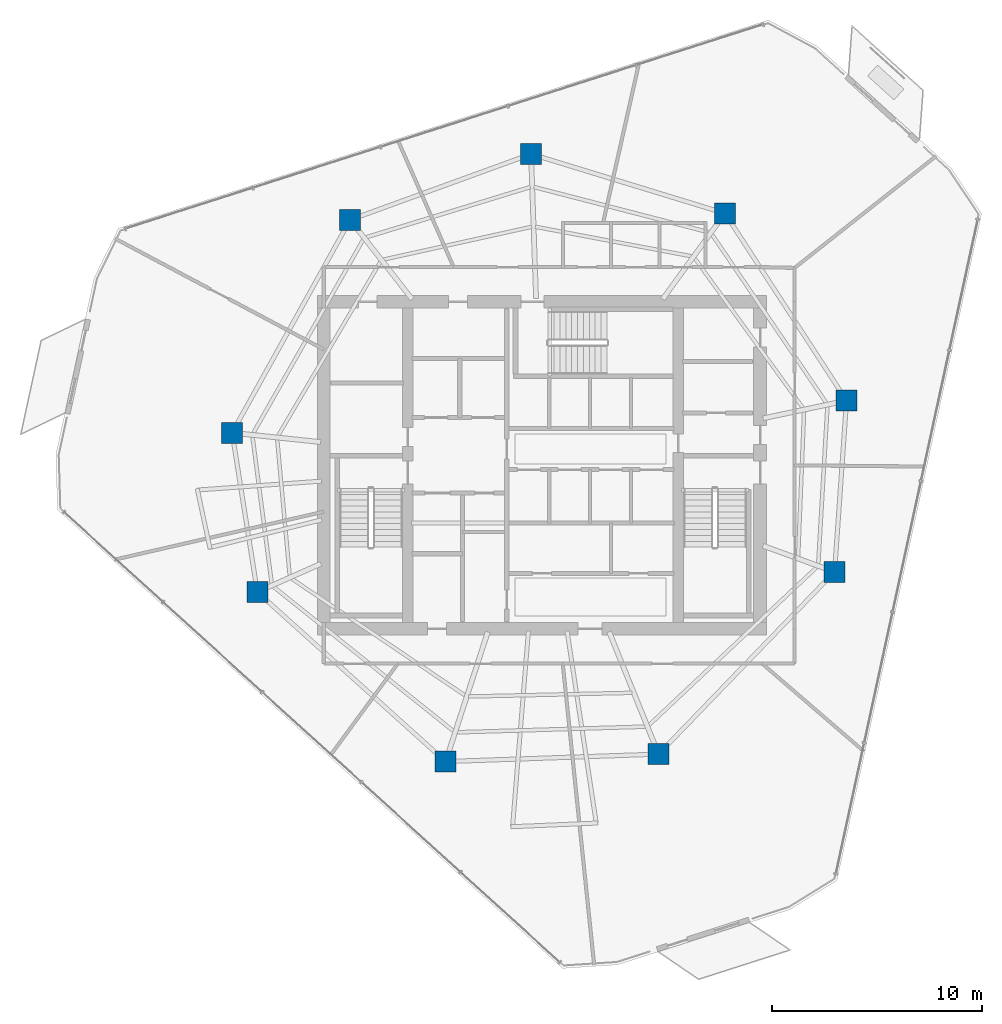
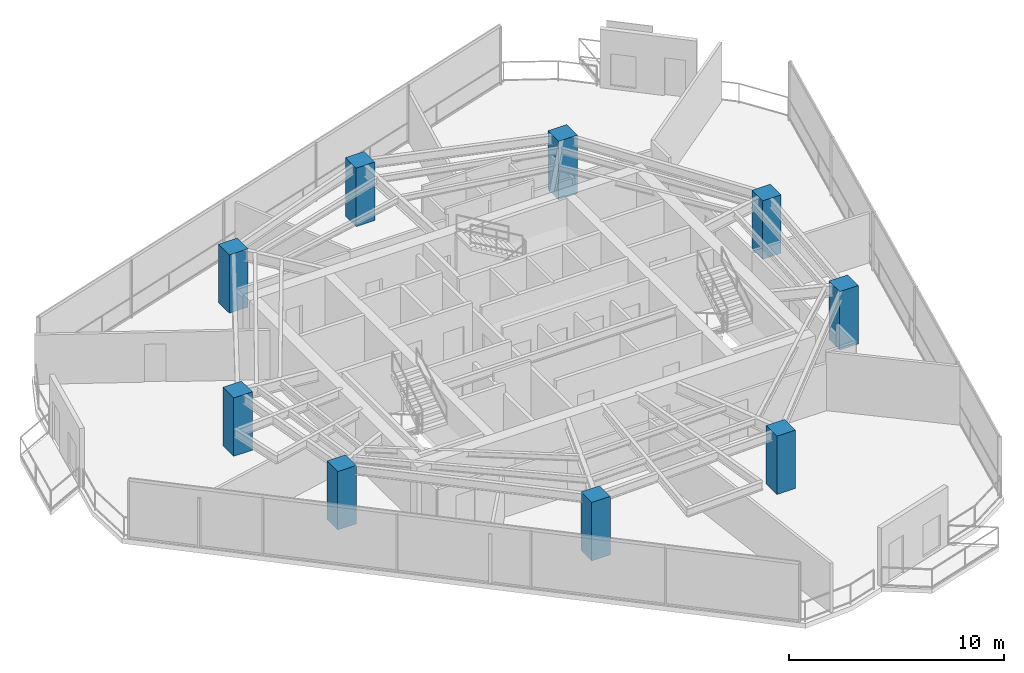
# One storey, part 1 of 21: 9 columns.
"""IFC4 building model written with IfcOpenShell, lengths in metres."""

from ifc_helpers import new_model, si_unit, direction, frame, origin, origin_2d, place, context, subcontext, project, spatial, rectangle, extrude, material, material_profile, profile_set, type_object, element, save


model = new_model("IFC4")

# Units and contexts
model_context = context("Model", 3, precision=1e-05, world=origin(), true_north=direction((0.0, 1.0)))
body_context = subcontext(model_context, "Body", "Model", "MODEL_VIEW")
ifc_project = project(units=[si_unit("LENGTHUNIT", "METRE"), si_unit("AREAUNIT", "SQUARE_METRE"), si_unit("VOLUMEUNIT", "CUBIC_METRE"), si_unit("PLANEANGLEUNIT", "RADIAN"), si_unit("MASSUNIT", "GRAM", prefix="KILO")], contexts=[model_context])

# Site, building, storey
site_placement = place(None, origin())
site = spatial("IfcSite", under=ifc_project, at=site_placement, CompositionType="ELEMENT")
building_placement = place(site_placement, origin())
building = spatial("IfcBuilding", under=site, at=building_placement, Name="Qarnah Convention Tower", CompositionType="ELEMENT")
storey_placement = place(building_placement, frame((0.0, 0.0, 132.89990234375)))
storey = spatial("IfcBuildingStorey", under=building, at=storey_placement, Name="L35", CompositionType="ELEMENT", Elevation=132.89990234375)

# Columns
ifc_material = material(Name="Concrete C60/75", Category="concrete")
ifc_material_profile = material_profile(ifc_material, rectangle(XDim=1.0, YDim=1.0, at=origin_2d()), Name="RC-COL-1000X1000")
ifc_profile_set = profile_set([ifc_material_profile], Name="Concrete C60/75")
column_type = type_object("IfcColumnType", Name="COL-Z3-1000", PredefinedType="COLUMN", material=ifc_profile_set)
for number, where, z_axis, x_axis, name in (
    (1, (51.72509765625, 29.487060546875, 0.0), (0.0, 0.0, 1.0), (1.0, 0.0, 0.0), "L35 plumb column PC-Z3-01"),
    (2, (45.928955078125, 38.4140625, 0.0), (0.0, 0.0, 1.0), (1.0, 0.0, 0.0), "L35 plumb column PC-Z3-02"),
    (3, (36.681884765625, 41.240966796875, 0.0), (0.0, 0.0, 1.0), (1.0, 0.0, 0.0), "L35 plumb column PC-Z3-03"),
    (4, (28.056884765625, 38.10205078125, 0.0), (0.0, 0.0, 1.0), (1.0, 0.0, 0.0), "L35 plumb column PC-Z3-04"),
    (5, (22.430908203125, 27.951904296875, 0.0), (0.0, 0.0, 1.0), (1.0, 0.0, 0.0), "L35 plumb column PC-Z3-05"),
    (6, (23.634033203125, 20.360107421875, 0.0), (0.0, 0.0, 1.0), (1.0, 0.0, 0.0), "L35 plumb column PC-Z3-06"),
    (7, (32.611083984375, 12.277099609375, 0.0), (0.0, 0.0, 1.0), (1.0, 0.0, 0.0), "L35 plumb column PC-Z3-07"),
    (8, (42.762939453125, 12.631103515625, 0.0), (0.0, 0.0, 1.0), (1.0, 0.0, 0.0), "L35 plumb column PC-Z3-08"),
    (9, (51.154052734375, 21.321044921875, 0.0), (0.0, 0.0, 1.0), (1.0, 0.0, 0.0), "L35 plumb column PC-Z3-09"),
):
    element("IfcColumn", number, at=place(storey_placement, frame(where, z_axis=z_axis, x_axis=x_axis)), inside=storey, type_object=column_type, Name=name, PredefinedType="COLUMN", context=body_context, shape_type="SweptSolid", body=[
        extrude(rectangle(XDim=1.0, YDim=1.0, at=origin_2d()), origin(), (0.0, 0.0, 1.0), 3.320068359375),
    ])

save(model, "model.ifc")
